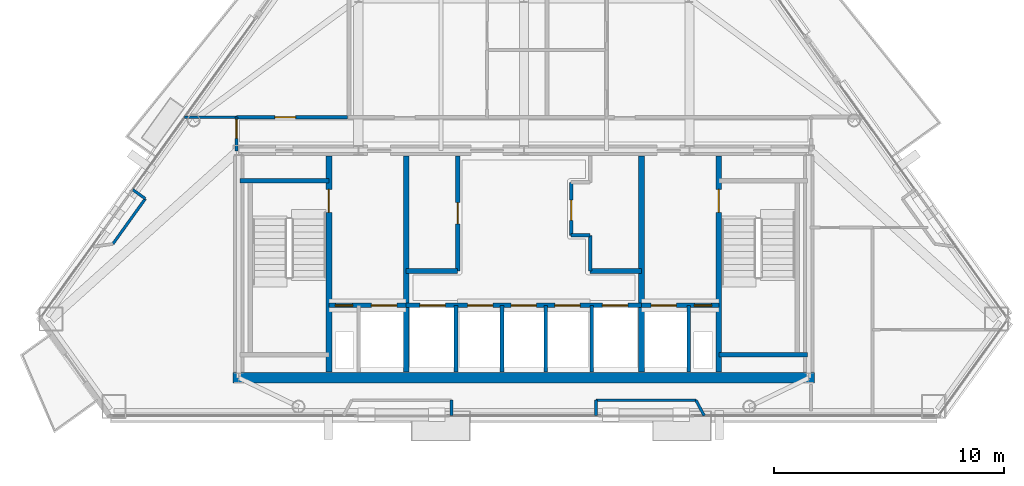
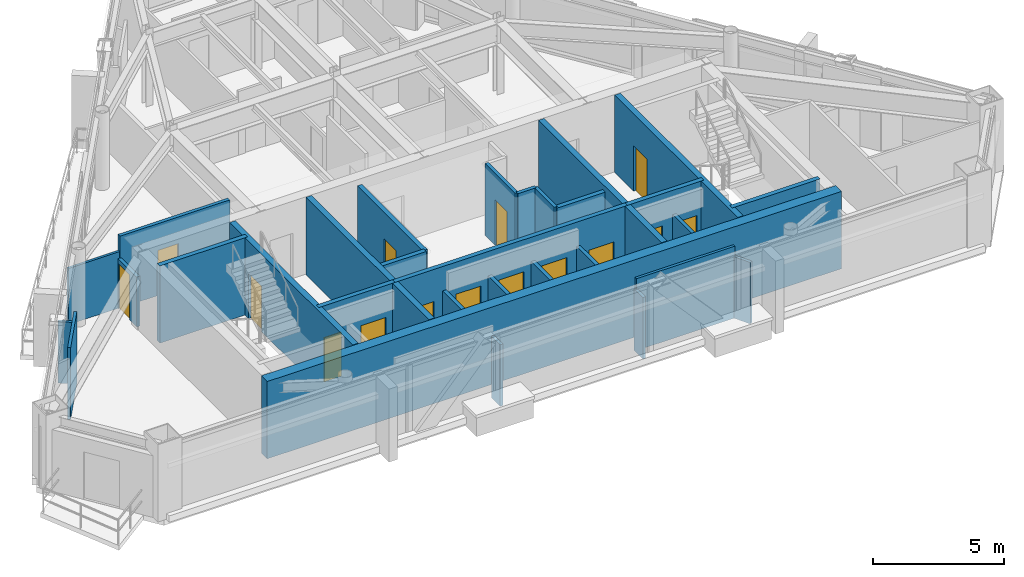
# One storey, part 7 of 11: 30 walls, 15 doors, 15 openings.
"""IFC4 building model written with IfcOpenShell, lengths in metres."""

from ifc_helpers import new_model, si_unit, direction, frame, frame_2d, origin, place, context, subcontext, project, spatial, rectangle, extrude, material, layer, layer_set, type_object, element, fill, save


model = new_model("IFC4")

# Units and contexts
model_context = context("Model", 3, precision=1e-05, world=origin(), true_north=direction((0.0, 1.0)))
body_context = subcontext(model_context, "Body", "Model", "MODEL_VIEW")
ifc_project = project(units=[si_unit("LENGTHUNIT", "METRE"), si_unit("AREAUNIT", "SQUARE_METRE"), si_unit("VOLUMEUNIT", "CUBIC_METRE"), si_unit("PLANEANGLEUNIT", "RADIAN"), si_unit("MASSUNIT", "GRAM", prefix="KILO")], contexts=[model_context])

# Site, building, storey
site_placement = place(None, origin())
site = spatial("IfcSite", under=ifc_project, at=site_placement, CompositionType="ELEMENT")
building_placement = place(site_placement, origin())
building = spatial("IfcBuilding", under=site, at=building_placement, Name="Talgorran Terracotta Tower", CompositionType="ELEMENT")
storey_placement = place(building_placement, frame((0.0, 0.0, 218.10009765625)))
storey = spatial("IfcBuildingStorey", under=building, at=storey_placement, Name="L57", CompositionType="ELEMENT", Elevation=218.10009765625)

# Walls
ifc_material_1 = material(Name="Concrete C50/60", Category="concrete")
ifc_layer_1 = layer(ifc_material_1, 0.199951171875, Name="WT_CORE_200")
ifc_layer_set_1 = layer_set([ifc_layer_1], Name="Concrete C50/60")
wall_type_1 = type_object("IfcWallType", Name="WT_CORE_200", PredefinedType="SOLIDWALL", material=ifc_layer_set_1)
for number, where, z_axis, x_axis, name in (
    (1, (-12.35009765625, -5.52001953125, 0.0), (0.0, 0.0, 1.0), (1.0, 0.0, 0.0), "WL-L57-CW-ST1-N"),
    (2, (8.47998046875, -13.10009765625, 0.0), (0.0, 0.0, 1.0), (1.0, 0.0, 0.0), "WL-L57-CW-ST2-S"),
):
    element("IfcWall", number, at=place(storey_placement, frame(where, z_axis=z_axis, x_axis=x_axis)), inside=storey, type_object=wall_type_1, Name=name, PredefinedType="SOLIDWALL", context=body_context, shape_type="SweptSolid", body=[
        extrude(rectangle(XDim=3.8701171875, YDim=0.199951171875, at=frame_2d((1.93505859375, 0.0))), origin(), (0.0, 0.0, 1.0), 3.599853515625),
    ])

# Wall, openings, doors
wall_1_placement = place(storey_placement, frame((-8.47998046875, -10.949951171875, 0.0), z_axis=(0.0, 0.0, 1.0), x_axis=(1.0, 0.0, 0.0)))
wall_1 = element("IfcWall", 3, at=wall_1_placement, inside=storey, type_object=wall_type_1, Name="WL-L57-CW-H-SBW", PredefinedType="SOLIDWALL", context=body_context, shape_type="SweptSolid", body=[
    extrude(rectangle(XDim=3.35986328125, YDim=0.199951171875, at=frame_2d((1.679931640625, 0.0))), origin(), (0.0, 0.0, 1.0), 3.599853515625),
])
opening_1_placement = place(wall_1_placement, frame((0.280029296875, 0.0, 0.0)))
opening_1 = element("IfcOpeningElement", 4, at=opening_1_placement, cuts=wall_1, Name="Opening DR-RSW", PredefinedType="OPENING", context=body_context, shape_type="SweptSolid", body=[
    extrude(rectangle(XDim=0.756, YDim=2.054048828125, at=frame_2d((0.375, 1.027099609375))), frame((0.0, 0.10986328125, 0.0), z_axis=(0.0, -1.0, 0.0), x_axis=(1.0, 0.0, 0.0)), (0.0, 0.0, 1.0), 0.219970703125),
])
opening_2_placement = place(wall_1_placement, frame((1.85009765625, 0.0, 0.0)))
opening_2 = element("IfcOpeningElement", 5, at=opening_2_placement, cuts=wall_1, Name="Opening LD-FFL1", PredefinedType="OPENING", context=body_context, shape_type="SweptSolid", body=[
    extrude(rectangle(XDim=1.10609765625, YDim=2.10409765625, at=frame_2d((0.550048828125, 1.052001953125))), frame((0.0, 0.10986328125, 0.0), z_axis=(0.0, -1.0, 0.0), x_axis=(1.0, 0.0, 0.0)), (0.0, 0.0, 1.0), 0.219970703125),
])
ifc_material_2 = material(Name="Brushed Stainless Steel Grade 304", Category="steel")
door_type_1 = type_object("IfcDoorType", Name="DT_LIFT_LD1100", OperationType="DOUBLE_DOOR_SLIDING", PredefinedType="DOOR", material=ifc_material_2)
door_1_placement = place(opening_2_placement, origin())
door_1 = element("IfcDoor", 6, at=door_1_placement, inside=storey, type_object=door_type_1, Name="L57 Lift Landing Door LD-FFL1", OperationType="DOUBLE_DOOR_SLIDING", OverallHeight=2.10009765625, OverallWidth=1.10009765625, PredefinedType="DOOR", context=body_context, shape_type="SweptSolid", body=[
    extrude(rectangle(XDim=1.10009765625, YDim=2.10009765625, at=frame_2d((0.550048828125, 1.050048828125))), frame((0.0, 0.02490234375, 0.0), z_axis=(0.0, -1.0, 0.0), x_axis=(1.0, 0.0, 0.0)), (0.0, 0.0, 1.0), 0.050048828125),
])
fill(opening_2, door_1)
ifc_material_3 = material(Name="Fire-Rated Pressed Steel", Category="steel")
door_type_2 = type_object("IfcDoorType", Name="DT_RISER_750", OperationType="NOTDEFINED", PredefinedType="DOOR", material=ifc_material_3)
door_2_placement = place(opening_1_placement, origin())
door_2 = element("IfcDoor", 7, at=door_2_placement, inside=storey, type_object=door_type_2, Name="DR-RSW", OperationType="SINGLE_SWING_LEFT", OverallHeight=2.050048828125, OverallWidth=0.75, PredefinedType="DOOR", context=body_context, shape_type="SweptSolid", body=[
    extrude(rectangle(XDim=0.75, YDim=2.050048828125, at=frame_2d((0.375, 1.02490234375))), frame((0.0, 0.02490234375, 0.0), z_axis=(0.0, -1.0, 0.0), x_axis=(1.0, 0.0, 0.0)), (0.0, 0.0, 1.0), 0.050048828125),
])
fill(opening_1, door_2)

wall_2_placement = place(storey_placement, frame((-5.1201171875, -10.949951171875, 0.0), z_axis=(0.0, 0.0, 1.0), x_axis=(1.0, 0.0, 0.0)))
wall_2 = element("IfcWall", 8, at=wall_2_placement, inside=storey, type_object=wall_type_1, Name="WL-L57-CW-H-SBC", PredefinedType="SOLIDWALL", context=body_context, shape_type="SweptSolid", body=[
    extrude(rectangle(XDim=10.240234375, YDim=0.199951171875, at=frame_2d((5.1201171875, 0.0))), origin(), (0.0, 0.0, 1.0), 3.599853515625),
])
opening_3_placement = place(wall_2_placement, frame((0.60009765625, 0.0, 0.0)))
opening_3 = element("IfcOpeningElement", 9, at=opening_3_placement, cuts=wall_2, Name="Opening LD-OB1", PredefinedType="OPENING", context=body_context, shape_type="SweptSolid", body=[
    extrude(rectangle(XDim=1.10609765625, YDim=2.10409765625, at=frame_2d((0.550048828125, 1.052001953125))), frame((0.0, 0.10986328125, 0.0), z_axis=(0.0, -1.0, 0.0), x_axis=(1.0, 0.0, 0.0)), (0.0, 0.0, 1.0), 0.219970703125),
])
opening_4_placement = place(wall_2_placement, frame((2.669921875, 0.0, 0.0)))
opening_4 = element("IfcOpeningElement", 10, at=opening_4_placement, cuts=wall_2, Name="Opening LD-PLH1", PredefinedType="OPENING", context=body_context, shape_type="SweptSolid", body=[
    extrude(rectangle(XDim=1.10609765625, YDim=2.10409765625, at=frame_2d((0.550048828125, 1.052001953125))), frame((0.0, 0.10986328125, 0.0), z_axis=(0.0, -1.0, 0.0), x_axis=(1.0, 0.0, 0.0)), (0.0, 0.0, 1.0), 0.219970703125),
])
opening_5_placement = place(wall_2_placement, frame((4.570068359375, 0.0, 0.0)))
opening_5 = element("IfcOpeningElement", 11, at=opening_5_placement, cuts=wall_2, Name="Opening LD-PLH2", PredefinedType="OPENING", context=body_context, shape_type="SweptSolid", body=[
    extrude(rectangle(XDim=1.10609765625, YDim=2.10409765625, at=frame_2d((0.550048828125, 1.052001953125))), frame((0.0, 0.10986328125, 0.0), z_axis=(0.0, -1.0, 0.0), x_axis=(1.0, 0.0, 0.0)), (0.0, 0.0, 1.0), 0.219970703125),
])
opening_6_placement = place(wall_2_placement, frame((6.469970703125, 0.0, 0.0)))
opening_6 = element("IfcOpeningElement", 12, at=opening_6_placement, cuts=wall_2, Name="Opening LD-PLH3", PredefinedType="OPENING", context=body_context, shape_type="SweptSolid", body=[
    extrude(rectangle(XDim=1.10609765625, YDim=2.10409765625, at=frame_2d((0.550048828125, 1.052001953125))), frame((0.0, 0.10986328125, 0.0), z_axis=(0.0, -1.0, 0.0), x_axis=(1.0, 0.0, 0.0)), (0.0, 0.0, 1.0), 0.219970703125),
])
opening_7_placement = place(wall_2_placement, frame((8.5400390625, 0.0, 0.0)))
opening_7 = element("IfcOpeningElement", 13, at=opening_7_placement, cuts=wall_2, Name="Opening LD-SVL1", PredefinedType="OPENING", context=body_context, shape_type="SweptSolid", body=[
    extrude(rectangle(XDim=1.10609765625, YDim=2.10409765625, at=frame_2d((0.550048828125, 1.052001953125))), frame((0.0, 0.10986328125, 0.0), z_axis=(0.0, -1.0, 0.0), x_axis=(1.0, 0.0, 0.0)), (0.0, 0.0, 1.0), 0.219970703125),
])
door_3_placement = place(opening_3_placement, origin())
door_3 = element("IfcDoor", 14, at=door_3_placement, inside=storey, type_object=door_type_1, Name="L57 Lift Landing Door LD-OB1", OperationType="DOUBLE_DOOR_SLIDING", OverallHeight=2.10009765625, OverallWidth=1.10009765625, PredefinedType="DOOR", context=body_context, shape_type="SweptSolid", body=[
    extrude(rectangle(XDim=1.10009765625, YDim=2.10009765625, at=frame_2d((0.550048828125, 1.050048828125))), frame((0.0, 0.02490234375, 0.0), z_axis=(0.0, -1.0, 0.0), x_axis=(1.0, 0.0, 0.0)), (0.0, 0.0, 1.0), 0.050048828125),
])
fill(opening_3, door_3)
door_4_placement = place(opening_4_placement, origin())
door_4 = element("IfcDoor", 15, at=door_4_placement, inside=storey, type_object=door_type_1, Name="L57 Lift Landing Door LD-PLH1", OperationType="DOUBLE_DOOR_SLIDING", OverallHeight=2.10009765625, OverallWidth=1.10009765625, PredefinedType="DOOR", context=body_context, shape_type="SweptSolid", body=[
    extrude(rectangle(XDim=1.10009765625, YDim=2.10009765625, at=frame_2d((0.550048828125, 1.050048828125))), frame((0.0, 0.02490234375, 0.0), z_axis=(0.0, -1.0, 0.0), x_axis=(1.0, 0.0, 0.0)), (0.0, 0.0, 1.0), 0.050048828125),
])
fill(opening_4, door_4)
door_5_placement = place(opening_5_placement, origin())
door_5 = element("IfcDoor", 16, at=door_5_placement, inside=storey, type_object=door_type_1, Name="L57 Lift Landing Door LD-PLH2", OperationType="DOUBLE_DOOR_SLIDING", OverallHeight=2.10009765625, OverallWidth=1.10009765625, PredefinedType="DOOR", context=body_context, shape_type="SweptSolid", body=[
    extrude(rectangle(XDim=1.10009765625, YDim=2.10009765625, at=frame_2d((0.550048828125, 1.050048828125))), frame((0.0, 0.02490234375, 0.0), z_axis=(0.0, -1.0, 0.0), x_axis=(1.0, 0.0, 0.0)), (0.0, 0.0, 1.0), 0.050048828125),
])
fill(opening_5, door_5)
door_6_placement = place(opening_6_placement, origin())
door_6 = element("IfcDoor", 17, at=door_6_placement, inside=storey, type_object=door_type_1, Name="L57 Lift Landing Door LD-PLH3", OperationType="DOUBLE_DOOR_SLIDING", OverallHeight=2.10009765625, OverallWidth=1.10009765625, PredefinedType="DOOR", context=body_context, shape_type="SweptSolid", body=[
    extrude(rectangle(XDim=1.10009765625, YDim=2.10009765625, at=frame_2d((0.550048828125, 1.050048828125))), frame((0.0, 0.02490234375, 0.0), z_axis=(0.0, -1.0, 0.0), x_axis=(1.0, 0.0, 0.0)), (0.0, 0.0, 1.0), 0.050048828125),
])
fill(opening_6, door_6)
door_7_placement = place(opening_7_placement, origin())
door_7 = element("IfcDoor", 18, at=door_7_placement, inside=storey, type_object=door_type_1, Name="L57 Lift Landing Door LD-SVL1", OperationType="DOUBLE_DOOR_SLIDING", OverallHeight=2.10009765625, OverallWidth=1.10009765625, PredefinedType="DOOR", context=body_context, shape_type="SweptSolid", body=[
    extrude(rectangle(XDim=1.10009765625, YDim=2.10009765625, at=frame_2d((0.550048828125, 1.050048828125))), frame((0.0, 0.02490234375, 0.0), z_axis=(0.0, -1.0, 0.0), x_axis=(1.0, 0.0, 0.0)), (0.0, 0.0, 1.0), 0.050048828125),
])
fill(opening_7, door_7)

wall_3_placement = place(storey_placement, frame((5.1201171875, -10.949951171875, 0.0), z_axis=(0.0, 0.0, 1.0), x_axis=(1.0, 0.0, 0.0)))
wall_3 = element("IfcWall", 19, at=wall_3_placement, inside=storey, type_object=wall_type_1, Name="WL-L57-CW-H-SBE", PredefinedType="SOLIDWALL", context=body_context, shape_type="SweptSolid", body=[
    extrude(rectangle(XDim=3.35986328125, YDim=0.199951171875, at=frame_2d((1.679931640625, 0.0))), origin(), (0.0, 0.0, 1.0), 3.599853515625),
])
opening_8_placement = place(wall_3_placement, frame((0.419921875, 0.0, 0.0)))
opening_8 = element("IfcOpeningElement", 20, at=opening_8_placement, cuts=wall_3, Name="Opening LD-FFL2", PredefinedType="OPENING", context=body_context, shape_type="SweptSolid", body=[
    extrude(rectangle(XDim=1.10609765625, YDim=2.10409765625, at=frame_2d((0.550048828125, 1.052001953125))), frame((0.0, 0.10986328125, 0.0), z_axis=(0.0, -1.0, 0.0), x_axis=(1.0, 0.0, 0.0)), (0.0, 0.0, 1.0), 0.219970703125),
])
opening_9_placement = place(wall_3_placement, frame((2.300048828125, 0.0, 0.0)))
opening_9 = element("IfcOpeningElement", 21, at=opening_9_placement, cuts=wall_3, Name="Opening DR-RSE", PredefinedType="OPENING", context=body_context, shape_type="SweptSolid", body=[
    extrude(rectangle(XDim=0.756, YDim=2.054048828125, at=frame_2d((0.375, 1.027099609375))), frame((0.0, 0.10986328125, 0.0), z_axis=(0.0, -1.0, 0.0), x_axis=(1.0, 0.0, 0.0)), (0.0, 0.0, 1.0), 0.219970703125),
])
door_8_placement = place(opening_8_placement, origin())
door_8 = element("IfcDoor", 22, at=door_8_placement, inside=storey, type_object=door_type_1, Name="L57 Lift Landing Door LD-FFL2", OperationType="DOUBLE_DOOR_SLIDING", OverallHeight=2.10009765625, OverallWidth=1.10009765625, PredefinedType="DOOR", context=body_context, shape_type="SweptSolid", body=[
    extrude(rectangle(XDim=1.10009765625, YDim=2.10009765625, at=frame_2d((0.550048828125, 1.050048828125))), frame((0.0, 0.02490234375, 0.0), z_axis=(0.0, -1.0, 0.0), x_axis=(1.0, 0.0, 0.0)), (0.0, 0.0, 1.0), 0.050048828125),
])
fill(opening_8, door_8)
door_9_placement = place(opening_9_placement, origin())
door_9 = element("IfcDoor", 23, at=door_9_placement, inside=storey, type_object=door_type_2, Name="DR-RSE", OperationType="SINGLE_SWING_RIGHT", OverallHeight=2.050048828125, OverallWidth=0.75, PredefinedType="DOOR", context=body_context, shape_type="SweptSolid", body=[
    extrude(rectangle(XDim=0.75, YDim=2.050048828125, at=frame_2d((0.375, 1.02490234375))), frame((0.0, 0.02490234375, 0.0), z_axis=(0.0, -1.0, 0.0), x_axis=(1.0, 0.0, 0.0)), (0.0, 0.0, 1.0), 0.050048828125),
])
fill(opening_9, door_9)

# Wall, opening, door
wall_4_placement = place(storey_placement, frame((-2.8798828125, -9.449951171875, 0.0), z_axis=(0.0, 0.0, 1.0), x_axis=(0.0, 1.0, 0.0)))
wall_4 = element("IfcWall", 24, at=wall_4_placement, inside=storey, type_object=wall_type_1, Name="WL-L57-CW-V-W3", PredefinedType="SOLIDWALL", context=body_context, shape_type="SweptSolid", body=[
    extrude(rectangle(XDim=5.0, YDim=0.199951171875, at=frame_2d((2.5, 0.0))), origin(), (0.0, 0.0, 1.0), 3.344970703125),
])
opening_10_placement = place(wall_4_placement, frame((2.050048828125, 0.0, 0.0)))
opening_10 = element("IfcOpeningElement", 25, at=opening_10_placement, cuts=wall_4, Name="Opening DR-FRPLL-A", PredefinedType="OPENING", context=body_context, shape_type="SweptSolid", body=[
    extrude(rectangle(XDim=0.925921875, YDim=2.10409765625, at=frame_2d((0.4599609375, 1.052001953125))), frame((0.0, 0.10986328125, 0.0), z_axis=(0.0, -1.0, 0.0), x_axis=(1.0, 0.0, 0.0)), (0.0, 0.0, 1.0), 0.219970703125),
])
ifc_material_4 = material(Name="Solid-Core Painted Timber", Category="wood")
door_type_3 = type_object("IfcDoorType", Name="DT_INT_920", OperationType="NOTDEFINED", PredefinedType="DOOR", material=ifc_material_4)
door_10_placement = place(opening_10_placement, origin())
door_10 = element("IfcDoor", 26, at=door_10_placement, inside=storey, type_object=door_type_3, Name="DR-FRPLL-A", OperationType="SINGLE_SWING_LEFT", OverallHeight=2.10009765625, OverallWidth=0.919921875, PredefinedType="DOOR", context=body_context, shape_type="SweptSolid", body=[
    extrude(rectangle(XDim=0.919921875, YDim=2.10009765625, at=frame_2d((0.4599609375, 1.050048828125))), frame((0.0, 0.02490234375, 0.0), z_axis=(0.0, -1.0, 0.0), x_axis=(1.0, 0.0, 0.0)), (0.0, 0.0, 1.0), 0.050048828125),
])
fill(opening_10, door_10)

# Walls
for number, where, z_axis, x_axis, name in (
    (27, (-5.1201171875, -9.449951171875, 0.0), (0.0, 0.0, 1.0), (1.0, 0.0, 0.0), "WL-L57-CW-H-W4"),
    (28, (2.8798828125, -9.449951171875, 0.0), (0.0, 0.0, 1.0), (1.0, 0.0, 0.0), "WL-L57-CW-H-E4"),
):
    element("IfcWall", number, at=place(storey_placement, frame(where, z_axis=z_axis, x_axis=x_axis)), inside=storey, type_object=wall_type_1, Name=name, PredefinedType="SOLIDWALL", context=body_context, shape_type="SweptSolid", body=[
        extrude(rectangle(XDim=2.240234375, YDim=0.199951171875, at=frame_2d((1.1201171875, 0.0))), origin(), (0.0, 0.0, 1.0), 3.344970703125),
    ])

# Wall, opening, door
ifc_layer_2 = layer(ifc_material_1, 0.25, Name="WT_CORE_250")
ifc_layer_set_2 = layer_set([ifc_layer_2], Name="Concrete C50/60")
wall_type_2 = type_object("IfcWallType", Name="WT_CORE_250", PredefinedType="SHEAR", material=ifc_layer_set_2)
wall_5_placement = place(storey_placement, frame((-8.47998046875, -13.85009765625, 0.0), z_axis=(0.0, 0.0, 1.0), x_axis=(0.0, 1.0, 0.0)))
wall_5 = element("IfcWall", 29, at=wall_5_placement, inside=storey, type_object=wall_type_2, Name="WL-L57-CW-V-W1", PredefinedType="SHEAR", context=body_context, shape_type="SweptSolid", body=[
    extrude(rectangle(XDim=9.400146484375, YDim=0.25, at=frame_2d((4.7001953125, 0.0))), origin(), (0.0, 0.0, 1.0), 3.599853515625),
])
opening_11_placement = place(wall_5_placement, frame((6.949951171875, 0.0, 0.0)))
opening_11 = element("IfcOpeningElement", 30, at=opening_11_placement, cuts=wall_5, Name="Opening DR-ST01", PredefinedType="OPENING", context=body_context, shape_type="SweptSolid", body=[
    extrude(rectangle(XDim=1.006, YDim=2.10409765625, at=frame_2d((0.5, 1.052001953125))), frame((0.0, 0.135009765625, 0.0), z_axis=(0.0, -1.0, 0.0), x_axis=(1.0, 0.0, 0.0)), (0.0, 0.0, 1.0), 0.27001953125),
])
door_type_4 = type_object("IfcDoorType", Name="DT_FIRE_1000", OperationType="NOTDEFINED", PredefinedType="DOOR", material=ifc_material_3)
door_11_placement = place(opening_11_placement, origin())
door_11 = element("IfcDoor", 31, at=door_11_placement, inside=storey, type_object=door_type_4, Name="DR-ST01", OperationType="SINGLE_SWING_LEFT", OverallHeight=2.10009765625, OverallWidth=1.0, PredefinedType="DOOR", context=body_context, shape_type="SweptSolid", body=[
    extrude(rectangle(XDim=1.0, YDim=2.10009765625, at=frame_2d((0.5, 1.050048828125))), frame((0.0, 0.02490234375, 0.0), z_axis=(0.0, -1.0, 0.0), x_axis=(1.0, 0.0, 0.0)), (0.0, 0.0, 1.0), 0.050048828125),
])
fill(opening_11, door_11)

wall_6_placement = place(storey_placement, frame((8.47998046875, -13.85009765625, 0.0), z_axis=(0.0, 0.0, 1.0), x_axis=(0.0, 1.0, 0.0)))
wall_6 = element("IfcWall", 32, at=wall_6_placement, inside=storey, type_object=wall_type_2, Name="WL-L57-CW-V-E1", PredefinedType="SHEAR", context=body_context, shape_type="SweptSolid", body=[
    extrude(rectangle(XDim=9.400146484375, YDim=0.25, at=frame_2d((4.7001953125, 0.0))), origin(), (0.0, 0.0, 1.0), 3.599853515625),
])
opening_12_placement = place(wall_6_placement, frame((6.949951171875, 0.0, 0.0)))
opening_12 = element("IfcOpeningElement", 33, at=opening_12_placement, cuts=wall_6, Name="Opening DR-ST02", PredefinedType="OPENING", context=body_context, shape_type="SweptSolid", body=[
    extrude(rectangle(XDim=1.006, YDim=2.10409765625, at=frame_2d((0.5, 1.052001953125))), frame((0.0, 0.135009765625, 0.0), z_axis=(0.0, -1.0, 0.0), x_axis=(1.0, 0.0, 0.0)), (0.0, 0.0, 1.0), 0.27001953125),
])
door_12_placement = place(opening_12_placement, origin())
door_12 = element("IfcDoor", 34, at=door_12_placement, inside=storey, type_object=door_type_4, Name="DR-ST02", OperationType="SINGLE_SWING_RIGHT", OverallHeight=2.10009765625, OverallWidth=1.0, PredefinedType="DOOR", context=body_context, shape_type="SweptSolid", body=[
    extrude(rectangle(XDim=1.0, YDim=2.10009765625, at=frame_2d((0.5, 1.050048828125))), frame((0.0, 0.02490234375, 0.0), z_axis=(0.0, -1.0, 0.0), x_axis=(1.0, 0.0, 0.0)), (0.0, 0.0, 1.0), 0.050048828125),
])
fill(opening_12, door_12)

# Walls
for number, where, z_axis, x_axis, name in (
    (35, (-5.1201171875, -13.85009765625, 0.0), (0.0, 0.0, 1.0), (0.0, 1.0, 0.0), "WL-L57-CW-V-W2"),
    (36, (5.1201171875, -13.85009765625, 0.0), (0.0, 0.0, 1.0), (0.0, 1.0, 0.0), "WL-L57-CW-V-E2"),
):
    element("IfcWall", number, at=place(storey_placement, frame(where, z_axis=z_axis, x_axis=x_axis)), inside=storey, type_object=wall_type_2, Name=name, PredefinedType="SHEAR", context=body_context, shape_type="SweptSolid", body=[
        extrude(rectangle(XDim=9.400146484375, YDim=0.25, at=frame_2d((4.7001953125, 0.0))), origin(), (0.0, 0.0, 1.0), 3.599853515625),
    ])
ifc_material_5 = material(Name="Concrete C65/80", Category="concrete")
ifc_layer_3 = layer(ifc_material_5, 0.449951171875, Name="WT_CORE_EXT")
ifc_layer_set_3 = layer_set([ifc_layer_3], Name="Concrete C65/80")
wall_type_3 = type_object("IfcWallType", Name="WT_CORE_EXT", PredefinedType="SHEAR", material=ifc_layer_set_3)
wall_7_placement = place(storey_placement, frame((-12.64990234375, -14.10009765625, 0.0), z_axis=(0.0, 0.0, 1.0), x_axis=(1.0, 0.0, 0.0)))
element("IfcWall", 37, at=wall_7_placement, inside=storey, type_object=wall_type_3, Name="WL-L57-CW-OUT-S", PredefinedType="SHEAR", context=body_context, shape_type="SweptSolid", body=[
    extrude(rectangle(XDim=25.2998046875, YDim=0.449951171875, at=frame_2d((12.64990234375, 0.0))), origin(), (0.0, 0.0, 1.0), 3.599853515625),
])
ifc_material_6 = material(Name="Fire-Rated Steel Stud Plasterboard", Category="steel")
ifc_layer_4 = layer(ifc_material_6, 0.14990234375, Name="WT_FIRE_150")
ifc_layer_set_4 = layer_set([ifc_layer_4], Name="Fire-Rated Steel Stud Plasterboard")
wall_type_4 = type_object("IfcWallType", Name="WT_FIRE_150", PredefinedType="PARTITIONING", material=ifc_layer_set_4)
wall_8_placement = place(storey_placement, frame((2.8798828125, -9.449951171875, 0.0), z_axis=(0.0, 0.0, 1.0), x_axis=(0.0, 1.0, 0.0)))
element("IfcWall", 38, at=wall_8_placement, inside=storey, type_object=wall_type_4, Name="WL-L57-CW-V-E3A", PredefinedType="PARTITIONING", context=body_context, shape_type="SweptSolid", body=[
    extrude(rectangle(XDim=1.550048828125, YDim=0.14990234375, at=frame_2d((0.77490234375, 0.0))), origin(), (0.0, 0.0, 1.0), 3.344970703125),
])
wall_9_placement = place(storey_placement, frame((2.06005859375, -7.89990234375, 0.0), z_axis=(0.0, 0.0, 1.0), x_axis=(1.0, 0.0, 0.0)))
element("IfcWall", 39, at=wall_9_placement, inside=storey, type_object=wall_type_4, Name="WL-L57-CW-H-E3B", PredefinedType="PARTITIONING", context=body_context, shape_type="SweptSolid", body=[
    extrude(rectangle(XDim=0.81982421875, YDim=0.14990234375, at=frame_2d((0.409912109375, 0.0))), origin(), (0.0, 0.0, 1.0), 3.344970703125),
])

# Wall, opening, door
wall_10_placement = place(storey_placement, frame((2.06005859375, -7.89990234375, 0.0), z_axis=(0.0, 0.0, 1.0), x_axis=(0.0, 1.0, 0.0)))
wall_10 = element("IfcWall", 40, at=wall_10_placement, inside=storey, type_object=wall_type_4, Name="WL-L57-CW-V-E3C", PredefinedType="PARTITIONING", context=body_context, shape_type="SweptSolid", body=[
    extrude(rectangle(XDim=2.2998046875, YDim=0.14990234375, at=frame_2d((1.14990234375, 0.0))), origin(), (0.0, 0.0, 1.0), 3.344970703125),
])
opening_13_placement = place(wall_10_placement, frame((0.64990234375, 0.0, 0.0)))
opening_13 = element("IfcOpeningElement", 41, at=opening_13_placement, cuts=wall_10, Name="Opening DR-FRPLM-B", PredefinedType="OPENING", context=body_context, shape_type="SweptSolid", body=[
    extrude(rectangle(XDim=0.8858828125, YDim=2.10409765625, at=frame_2d((0.43994140625, 1.052001953125))), frame((0.0, 0.0849609375, 0.0), z_axis=(0.0, -1.0, 0.0), x_axis=(1.0, 0.0, 0.0)), (0.0, 0.0, 1.0), 0.169921875),
])
door_type_5 = type_object("IfcDoorType", Name="DT_INT_880", OperationType="NOTDEFINED", PredefinedType="DOOR", material=ifc_material_4)
door_13_placement = place(opening_13_placement, origin())
door_13 = element("IfcDoor", 42, at=door_13_placement, inside=storey, type_object=door_type_5, Name="DR-FRPLM-B", OperationType="SINGLE_SWING_RIGHT", OverallHeight=2.10009765625, OverallWidth=0.8798828125, PredefinedType="DOOR", context=body_context, shape_type="SweptSolid", body=[
    extrude(rectangle(XDim=0.8798828125, YDim=2.10009765625, at=frame_2d((0.43994140625, 1.050048828125))), frame((0.0, 0.02490234375, 0.0), z_axis=(0.0, -1.0, 0.0), x_axis=(1.0, 0.0, 0.0)), (0.0, 0.0, 1.0), 0.050048828125),
])
fill(opening_13, door_13)

wall_11_placement = place(storey_placement, frame((-12.5, -2.760009765625, 0.0), z_axis=(0.0, 0.0, 1.0), x_axis=(1.0, 0.0, 0.0)))
wall_11 = element("IfcWall", 43, at=wall_11_placement, inside=storey, type_object=wall_type_4, Name="WL-L57-W-L57-R03", PredefinedType="PARTITIONING", context=body_context, shape_type="SweptSolid", body=[
    extrude(rectangle(XDim=4.837890625, YDim=0.14990234375, at=frame_2d((2.4189453125, 0.0))), origin(), (0.0, 0.0, 1.0), 3.344970703125),
])
opening_14_placement = place(wall_11_placement, frame((1.671875, 0.0, 0.0)))
opening_14 = element("IfcOpeningElement", 44, at=opening_14_placement, cuts=wall_11, Name="Opening DR-L57-R05", PredefinedType="OPENING", context=body_context, shape_type="SweptSolid", body=[
    extrude(rectangle(XDim=0.90590234375, YDim=2.10409765625, at=frame_2d((0.449951171875, 1.052001953125))), frame((0.0, 0.0849609375, 0.0), z_axis=(0.0, -1.0, 0.0), x_axis=(1.0, 0.0, 0.0)), (0.0, 0.0, 1.0), 0.169921875),
])
ifc_material_7 = material(Name="Fire-Rated Timber Core", Category="wood")
door_type_6 = type_object("IfcDoorType", Name="DT_FIRE_900", OperationType="NOTDEFINED", PredefinedType="DOOR", material=ifc_material_7)
door_14_placement = place(opening_14_placement, origin())
door_14 = element("IfcDoor", 45, at=door_14_placement, inside=storey, type_object=door_type_6, Name="DR-L57-R05", OperationType="SINGLE_SWING_LEFT", OverallHeight=2.10009765625, OverallWidth=0.89990234375, PredefinedType="DOOR", context=body_context, shape_type="SweptSolid", body=[
    extrude(rectangle(XDim=0.89990234375, YDim=2.10009765625, at=frame_2d((0.449951171875, 1.050048828125))), frame((0.0, 0.02490234375, 0.0), z_axis=(0.0, -1.0, 0.0), x_axis=(1.0, 0.0, 0.0)), (0.0, 0.0, 1.0), 0.050048828125),
])
fill(opening_14, door_14)

wall_12_placement = place(storey_placement, frame((-12.5, -4.239990234375, 0.0), z_axis=(0.0, 0.0, 1.0), x_axis=(0.0, 1.0, 0.0)))
wall_12 = element("IfcWall", 46, at=wall_12_placement, inside=storey, type_object=wall_type_4, Name="WL-L57-W-L57-R01", PredefinedType="PARTITIONING", context=body_context, shape_type="SweptSolid", body=[
    extrude(rectangle(XDim=1.47998046875, YDim=0.14990234375, at=frame_2d((0.739990234375, 0.0))), origin(), (0.0, 0.0, 1.0), 2.31982421875),
])
opening_15_placement = place(wall_12_placement, frame((0.56005859375, 0.0, 0.0)))
opening_15 = element("IfcOpeningElement", 47, at=opening_15_placement, cuts=wall_12, Name="Opening DR-L57-R01", PredefinedType="OPENING", context=body_context, shape_type="SweptSolid", body=[
    extrude(rectangle(XDim=0.826068359375, YDim=2.10409765625, at=frame_2d((0.41015625, 1.052001953125))), frame((0.0, 0.0849609375, 0.0), z_axis=(0.0, -1.0, 0.0), x_axis=(1.0, 0.0, 0.0)), (0.0, 0.0, 1.0), 0.169921875),
])
ifc_material_8 = material(Name="Moisture-Resistant Solid Timber", Category="wood")
door_type_7 = type_object("IfcDoorType", Name="DT_INT_820", OperationType="NOTDEFINED", PredefinedType="DOOR", material=ifc_material_8)
door_15_placement = place(opening_15_placement, origin())
door_15 = element("IfcDoor", 48, at=door_15_placement, inside=storey, type_object=door_type_7, Name="DR-L57-R01", OperationType="SINGLE_SWING_LEFT", OverallHeight=2.10009765625, OverallWidth=0.820068359375, PredefinedType="DOOR", context=body_context, shape_type="SweptSolid", body=[
    extrude(rectangle(XDim=0.820068359375, YDim=2.10009765625, at=frame_2d((0.41015625, 1.050048828125))), frame((0.0, 0.02490234375, 0.0), z_axis=(0.0, -1.0, 0.0), x_axis=(1.0, 0.0, 0.0)), (0.0, 0.0, 1.0), 0.050048828125),
])
fill(opening_15, door_15)

# Walls
ifc_material_9 = material(Name="Lightweight Steel Stud Partition", Category="steel")
ifc_layer_5 = layer(ifc_material_9, 0.10498046875, Name="WT_PART_110")
ifc_layer_set_5 = layer_set([ifc_layer_5], Name="Lightweight Steel Stud Partition")
wall_type_5 = type_object("IfcWallType", Name="WT_PART_110", PredefinedType="PARTITIONING", material=ifc_layer_set_5)
wall_13_placement = place(storey_placement, frame((-14.75732421875, -2.760009765625, 0.0), z_axis=(0.0, 0.0, 1.0), x_axis=(1.0, 0.0, 0.0)))
element("IfcWall", 49, at=wall_13_placement, inside=storey, type_object=wall_type_5, Name="WL-L57-W-L57-R08", PredefinedType="PARTITIONING", context=body_context, shape_type="SweptSolid", body=[
    extrude(rectangle(XDim=2.25732421875, YDim=0.10498046875, at=frame_2d((1.128662109375, 0.0))), origin(), (0.0, 0.0, 1.0), 2.619873046875),
])
ifc_material_10 = material(Name="Insulated Steel Stud Plasterboard", Category="steel")
ifc_layer_6 = layer(ifc_material_10, 0.1201171875, Name="WT_PART_120")
ifc_layer_set_6 = layer_set([ifc_layer_6], Name="Insulated Steel Stud Plasterboard")
wall_type_6 = type_object("IfcWallType", Name="WT_PART_120", PredefinedType="PARTITIONING", material=ifc_layer_set_6)
wall_14_placement = place(storey_placement, frame((3.14306640625, -15.072265625, 0.0), z_axis=(0.0, 0.0, 1.0), x_axis=(1.0, 0.0, 0.0)))
element("IfcWall", 50, at=wall_14_placement, inside=storey, type_object=wall_type_6, Name="WL-L57-BW-L57-06", PredefinedType="PARTITIONING", context=body_context, shape_type="SweptSolid", body=[
    extrude(rectangle(XDim=4.342529296875, YDim=0.1201171875, at=frame_2d((2.17138671875, 0.0))), origin(), (0.0, 0.0, 1.0), 3.344970703125),
])
wall_15_placement = place(storey_placement, frame((-16.46630859375, -6.30712890625, 0.0), z_axis=(0.0, 0.0, 1.0), x_axis=(-0.583153890419, -0.812361705208, 0.0)))
element("IfcWall", 51, at=wall_15_placement, inside=storey, type_object=wall_type_6, Name="WL-L57-BW-L57-08", PredefinedType="PARTITIONING", context=body_context, shape_type="SweptSolid", body=[
    extrude(rectangle(XDim=2.421142578125, YDim=0.1201171875, at=frame_2d((1.21044921875, 0.0))), origin(), (0.0, 0.0, 1.0), 3.344970703125),
])
wall_16_placement = place(storey_placement, frame((7.485595703125, -15.072265625, 0.0), z_axis=(0.0, 0.0, 1.0), x_axis=(0.472969716316, -0.881078684027, 0.0)))
element("IfcWall", 52, at=wall_16_placement, inside=storey, type_object=wall_type_6, Name="WL-L57-BW-L57-04", PredefinedType="PARTITIONING", context=body_context, shape_type="SweptSolid", body=[
    extrude(rectangle(XDim=0.76025390625, YDim=0.1201171875, at=frame_2d((0.380126953125, 0.0))), origin(), (0.0, 0.0, 1.0), 2.86279296875),
])
wall_17_placement = place(storey_placement, frame((-17.0107421875, -5.91650390625, 0.0), z_axis=(0.0, 0.0, 1.0), x_axis=(0.81250073396, -0.582960167863, 0.0)))
element("IfcWall", 53, at=wall_17_placement, inside=storey, type_object=wall_type_6, Name="WL-L57-BW-L57-07", PredefinedType="PARTITIONING", context=body_context, shape_type="SweptSolid", body=[
    extrude(rectangle(XDim=0.670166015625, YDim=0.1201171875, at=frame_2d((0.3349609375, 0.0))), origin(), (0.0, 0.0, 1.0), 2.86279296875),
])
for number, where, z_axis, x_axis, name in (
    (54, (-3.14306640625, -15.072265625, 0.0), (0.0, 0.0, 1.0), (0.0, -1.0, 0.0), "WL-L57-BW-L57-02"),
    (55, (3.14306640625, -15.7421875, 0.0), (0.0, 0.0, 1.0), (0.0, 1.0, 0.0), "WL-L57-BW-L57-05"),
):
    element("IfcWall", number, at=place(storey_placement, frame(where, z_axis=z_axis, x_axis=x_axis)), inside=storey, type_object=wall_type_6, Name=name, PredefinedType="PARTITIONING", context=body_context, shape_type="SweptSolid", body=[
        extrude(rectangle(XDim=0.669921875, YDim=0.1201171875, at=frame_2d((0.3349609375, 0.0))), origin(), (0.0, 0.0, 1.0), 2.86279296875),
    ])
ifc_material_11 = material(Name="Fire-Rated Shaftwall")
ifc_layer_7 = layer(ifc_material_11, 0.159912109375, Name="WT_PART_150")
ifc_layer_set_7 = layer_set([ifc_layer_7], Name="Fire-Rated Shaftwall")
wall_type_7 = type_object("IfcWallType", Name="WT_PART_150", PredefinedType="PARTITIONING", material=ifc_layer_set_7)
for number, where, z_axis, x_axis, name in (
    (56, (7.179931640625, -13.85009765625, 0.0), (0.0, 0.0, 1.0), (0.0, 1.0, 0.0), "WL-L57-CW-RSE"),
    (57, (-2.949951171875, -13.85009765625, 0.0), (0.0, 0.0, 1.0), (0.0, 1.0, 0.0), "WL-L57-CW-OB-E"),
    (58, (2.949951171875, -13.85009765625, 0.0), (0.0, 0.0, 1.0), (0.0, 1.0, 0.0), "WL-L57-CW-SV-W"),
    (59, (-0.949951171875, -13.85009765625, 0.0), (0.0, 0.0, 1.0), (0.0, 1.0, 0.0), "WL-L57-CW-PLH-D1"),
    (60, (0.949951171875, -13.85009765625, 0.0), (0.0, 0.0, 1.0), (0.0, 1.0, 0.0), "WL-L57-CW-PLH-D2"),
):
    element("IfcWall", number, at=place(storey_placement, frame(where, z_axis=z_axis, x_axis=x_axis)), inside=storey, type_object=wall_type_7, Name=name, PredefinedType="PARTITIONING", context=body_context, shape_type="SweptSolid", body=[
        extrude(rectangle(XDim=2.900146484375, YDim=0.159912109375, at=frame_2d((1.4501953125, 0.0))), origin(), (0.0, 0.0, 1.0), 2.469970703125),
    ])

save(model, "model.ifc")
